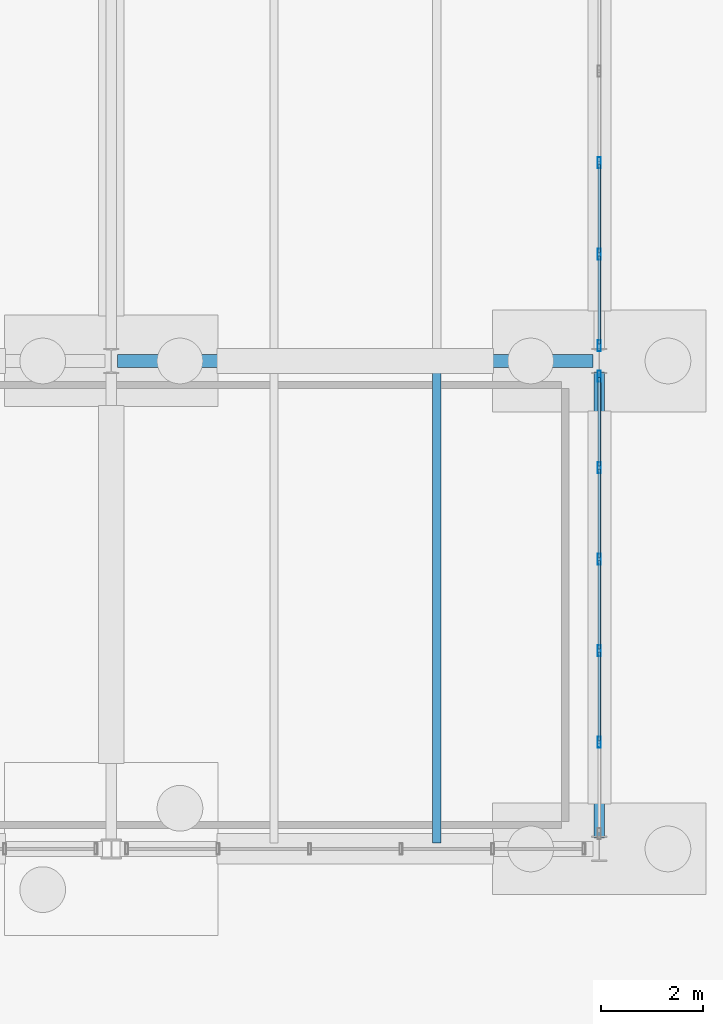
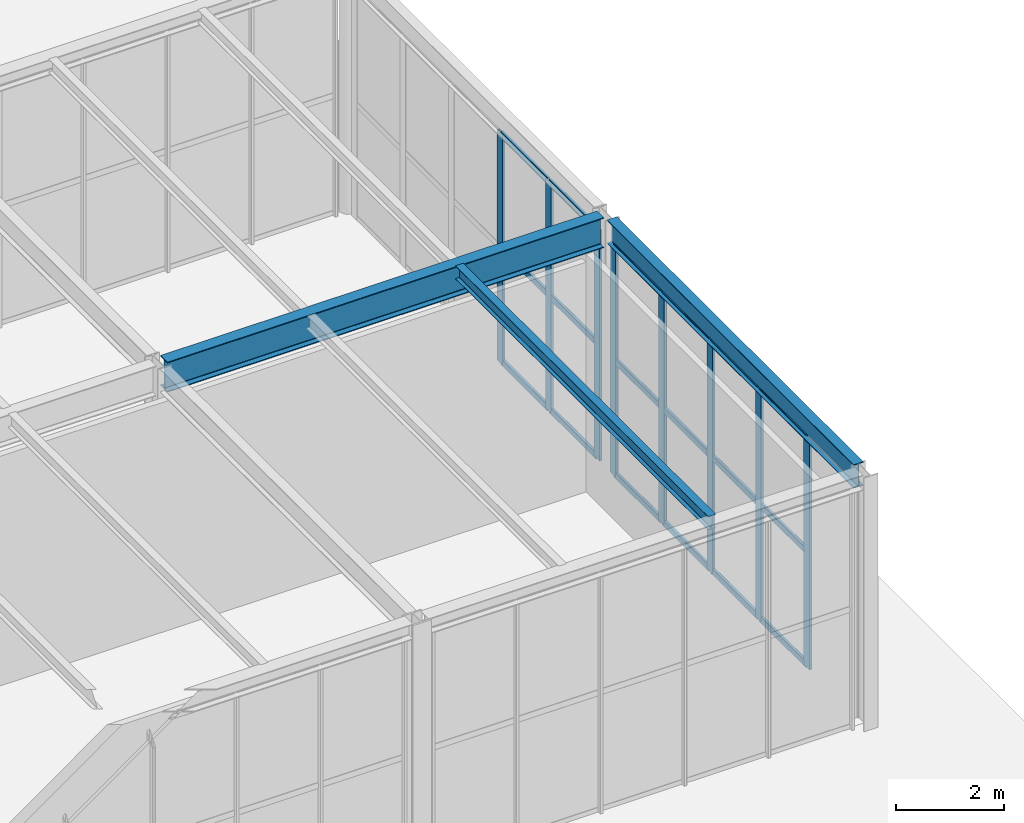
# One storey, part 97 of 142: 26 members, 3 beams, 2 elements without a shape of their own.
"""IFC4 building model written with IfcOpenShell, lengths in metres."""

import ifcopenshell
import ifcopenshell.guid

model = None  # the IFC model being written
_history = None  # IfcOwnerHistory: only IFC2X3 demands one
_inside = {}  # id of a spatial element -> (the spatial element, [elements in it])
_under = {}  # id of a project, library or spatial element -> (it, [spatial elements below it])
_declared = {}  # id of a project -> (the project, [libraries it declares])
_typed = {}  # id of a type object -> (the type object, [elements of that type])
_made_of = {}  # id of a material, layer set ... -> (it, [elements and type objects made of it])


def new_model(schema):
    """Start an empty IFC model of exactly this schema.

    Asked for "IFC4X3", IfcOpenShell would pick the latest addendum, in which some entities
    have other attributes; the version numbers below select the first issue.
    IFC2X3 requires an IfcOwnerHistory on every rooted entity: one is made here for all.
    """
    global model, _history
    if schema == "IFC4X3":
        model = ifcopenshell.file(schema_version=(4, 3, 0, 0))
    else:
        model = ifcopenshell.file(schema=schema)
    _inside.clear()
    _under.clear()
    _declared.clear()
    _typed.clear()
    _made_of.clear()
    _history = None
    if model.schema == "IFC2X3":
        org = make("IfcOrganization", Name="unknown")
        user = make(
            "IfcPersonAndOrganization",
            ThePerson=make("IfcPerson", FamilyName="unknown"),
            TheOrganization=org,
        )
        app = make(
            "IfcApplication",
            ApplicationDeveloper=org,
            Version="unknown",
            ApplicationFullName="unknown",
            ApplicationIdentifier="unknown",
        )
        _history = make(
            "IfcOwnerHistory",
            OwningUser=user,
            OwningApplication=app,
            ChangeAction="ADDED",
            CreationDate=0,
        )
    return model


def make(cls, **values):
    """One entity of the class cls with the attributes given. An attribute that is None is left unset."""
    return model.create_entity(
        cls, **{name: value for name, value in values.items() if value is not None}
    )


def rooted(cls, **values):
    """An entity with a GlobalId (a new one), such as an element, a storey or a relation."""
    return make(cls, GlobalId=ifcopenshell.guid.new(), OwnerHistory=_history, **values)


def si_unit(unit_type, name, prefix=None):
    """IfcSIUnit, for example si_unit("LENGTHUNIT", "METRE", prefix="MILLI")."""
    return make("IfcSIUnit", UnitType=unit_type, Prefix=prefix, Name=name)


def assignment(units):
    """IfcUnitAssignment: the units of a project."""
    return None if units is None else make("IfcUnitAssignment", Units=units)


def point(xyz):
    """IfcCartesianPoint."""
    return None if xyz is None else make("IfcCartesianPoint", Coordinates=xyz)


def direction(xyz):
    """IfcDirection."""
    return None if xyz is None else make("IfcDirection", DirectionRatios=xyz)


def frame(location, z_axis=None, x_axis=None):
    """IfcAxis2Placement3D, a coordinate frame: its origin and axes. An axis left out is left unset."""
    return make(
        "IfcAxis2Placement3D",
        Location=point(location),
        Axis=direction(z_axis),
        RefDirection=direction(x_axis),
    )


def frame_2d(location, x_axis=None):
    """IfcAxis2Placement2D, a coordinate frame in the plane: its origin and x axis."""
    return make(
        "IfcAxis2Placement2D", Location=point(location), RefDirection=direction(x_axis)
    )


def origin():
    """The frame at (0, 0, 0) with its axes left unset."""
    return frame((0.0, 0.0, 0.0))


def origin_2d():
    """The frame at (0, 0) in the plane with its x axis left unset."""
    return frame_2d((0.0, 0.0))


def place(relative_to, where):
    """IfcLocalPlacement: puts the frame where relative to a parent placement (None: the world)."""
    return make(
        "IfcLocalPlacement", PlacementRelTo=relative_to, RelativePlacement=where
    )


def context(
    kind, dimensions, precision=None, world=None, true_north=None, identifier=None
):
    """IfcGeometricRepresentationContext, for example the 3D "Model" context."""
    return make(
        "IfcGeometricRepresentationContext",
        ContextIdentifier=identifier,
        ContextType=kind,
        CoordinateSpaceDimension=dimensions,
        Precision=precision,
        WorldCoordinateSystem=world,
        TrueNorth=true_north,
    )


def subcontext(parent, identifier, kind, view, scale=None):
    """IfcGeometricRepresentationSubContext, for example "Body" below "Model"."""
    return make(
        "IfcGeometricRepresentationSubContext",
        ContextIdentifier=identifier,
        ContextType=kind,
        ParentContext=parent,
        TargetScale=scale,
        TargetView=view,
    )


def project(units=None, contexts=None):
    """IfcProject with its units and contexts."""
    return rooted(
        "IfcProject",
        Name="project",
        RepresentationContexts=contexts,
        UnitsInContext=assignment(units),
    )


def spatial(cls, under=None, at=None, **own):
    """A site, building, storey or space (cls), placed at a placement, below another one or the project."""
    s = rooted(cls, ObjectPlacement=at, **own)
    if under is not None:
        _under.setdefault(under.id(), (under, []))[1].append(s)
    return s


def profile(cls, at=None, kind="AREA", **sizes):
    """A parametric profile (cls). Its sizes go by their IFC names, for example OverallWidth=200.0."""
    return make(cls, ProfileType=kind, Position=at, **sizes)


def hollow_rectangle(**sizes):
    """IfcRectangleHollowProfileDef."""
    return profile("IfcRectangleHollowProfileDef", **sizes)


def i_section(**sizes):
    """IfcIShapeProfileDef."""
    return profile("IfcIShapeProfileDef", **sizes)


def extrude(swept, where, along, depth):
    """IfcExtrudedAreaSolid: the profile swept, set in the frame where, extruded along a direction by depth."""
    return make(
        "IfcExtrudedAreaSolid",
        SweptArea=swept,
        Position=where,
        ExtrudedDirection=direction(along),
        Depth=depth,
    )


def shape(context_of_items, identifier, shape_type, items):
    """IfcShapeRepresentation: the items that make up one representation, for example the "Body"."""
    return make(
        "IfcShapeRepresentation",
        ContextOfItems=context_of_items,
        RepresentationIdentifier=identifier,
        RepresentationType=shape_type,
        Items=items,
    )


def material(Name=None, Category=None):
    """IfcMaterial."""
    return make("IfcMaterial", Name=Name, Category=Category)


def material_profile(
    of_material, cross_section, Name=None, Category=None, Priority=None
):
    """IfcMaterialProfile: a cross section and its material."""
    return make(
        "IfcMaterialProfile",
        Name=Name,
        Material=of_material,
        Profile=cross_section,
        Priority=Priority,
        Category=Category,
    )


def profile_set(profiles, Name=None, composite=None):
    """IfcMaterialProfileSet."""
    return make(
        "IfcMaterialProfileSet",
        Name=Name,
        MaterialProfiles=profiles,
        CompositeProfile=composite,
    )


def made_of(thing, what):
    """Note that an element or type object is made of a material, layer set ...; save() writes the relation."""
    if what is not None:
        _made_of.setdefault(what.id(), (what, []))[1].append(thing)
    return thing


def type_object(cls, material=None, **own):
    """A type object (cls), such as IfcWallType, which elements share."""
    return made_of(rooted(cls, **own), material)


def element(
    cls,
    number,
    at=None,
    inside=None,
    cuts=None,
    type_object=None,
    material=None,
    context=None,
    identifier="Body",
    shape_type=None,
    held_by="IfcProductDefinitionShape",
    body=None,
    shapes=None,
    **own,
):
    """One element of the class cls, such as IfcWall. Its Tag is "e" and its number.

    at: its placement. inside: the storey or other place that contains it. cuts: it is an
    opening in that element (IfcRelVoidsElement). A single representation is given by context,
    identifier, shape_type and body (its items); several are given by shapes. held_by: the class
    of the entity that holds the representations. save() writes the other relations.
    """
    e = rooted(cls, Tag="e%d" % number, ObjectPlacement=at, **own)
    if body is not None:
        shapes = [shape(context, identifier, shape_type, body)]
    if shapes is not None:
        e.Representation = make(held_by, Representations=shapes)
    if inside is not None:
        _inside.setdefault(inside.id(), (inside, []))[1].append(e)
    if cuts is not None:
        rooted(
            "IfcRelVoidsElement", RelatingBuildingElement=cuts, RelatedOpeningElement=e
        )
    if type_object is not None:
        _typed.setdefault(type_object.id(), (type_object, []))[1].append(e)
    return made_of(e, material)


def aggregate(whole, parts):
    """IfcRelAggregates: a whole, such as a stair, and the parts it consists of."""
    return rooted("IfcRelAggregates", RelatingObject=whole, RelatedObjects=parts)


def save(model, path):
    """Write the relations noted so far, then the file.

    IfcRelAggregates (storeys below a building ...), IfcRelContainedInSpatialStructure (elements
    in a storey), IfcRelDefinesByType, IfcRelAssociatesMaterial and IfcRelDeclares: one each for
    every whole, place, type object, material and project.
    """
    for whole, parts in _under.values():
        aggregate(whole, parts)
    for where, things in _inside.values():
        rooted(
            "IfcRelContainedInSpatialStructure",
            RelatedElements=things,
            RelatingStructure=where,
        )
    for kind, things in _typed.values():
        rooted("IfcRelDefinesByType", RelatedObjects=things, RelatingType=kind)
    for what, things in _made_of.values():
        rooted("IfcRelAssociatesMaterial", RelatedObjects=things, RelatingMaterial=what)
    for by, libraries in _declared.values():
        rooted("IfcRelDeclares", RelatingContext=by, RelatedDefinitions=libraries)
    model.write(path)


model = new_model("IFC4")

# Units and contexts
model_context = context("Model", 3, precision=1e-05, world=origin(), true_north=direction((0.0, 1.0)))
body_context = subcontext(model_context, "Body", "Model", "MODEL_VIEW")
ifc_project = project(units=[si_unit("LENGTHUNIT", "METRE"), si_unit("AREAUNIT", "SQUARE_METRE"), si_unit("VOLUMEUNIT", "CUBIC_METRE"), si_unit("PLANEANGLEUNIT", "RADIAN"), si_unit("MASSUNIT", "GRAM", prefix="KILO")], contexts=[model_context])

# Site, building, storey
site_placement = place(None, origin())
site = spatial("IfcSite", under=ifc_project, at=site_placement, CompositionType="ELEMENT")
building_placement = place(site_placement, origin())
building = spatial("IfcBuilding", under=site, at=building_placement, Name="Coralgate Yard Interchange", CompositionType="ELEMENT")
storey_placement = place(building_placement, origin())
storey = spatial("IfcBuildingStorey", under=building, at=storey_placement, Name="L00", CompositionType="ELEMENT", Elevation=0.0)

# Beams
ifc_material_1 = material(Name="Structural steel S355J2", Category="steel")
ifc_material_profile_1 = material_profile(ifc_material_1, i_section(OverallWidth=0.209228515625, OverallDepth=0.533203125, WebThickness=0.010009765625, FlangeThickness=0.015625, FilletRadius=0.0126953125, at=origin_2d()), Name="UB 533x210x92")
ifc_profile_set_1 = profile_set([ifc_material_profile_1], Name="Structural steel S355J2")
beam_type_1 = type_object("IfcBeamType", Name="BM-SB-1", PredefinedType="BEAM", material=ifc_profile_set_1)
beam_1_placement = place(storey_placement, frame((182.39990234375, 77.02001953125, 5.4833984375), z_axis=(0.0, 1.0, 0.0), x_axis=(-1.0, 0.0, 0.0)))
element("IfcBeam", 1, at=beam_1_placement, inside=storey, type_object=beam_type_1, Name="L00 primary grid girder X19 Y8-9", PredefinedType="BEAM", context=body_context, shape_type="SweptSolid", body=[
    extrude(i_section(OverallWidth=0.209228515625, OverallDepth=0.533203125, WebThickness=0.010009765625, FlangeThickness=0.015625, FilletRadius=0.0126953125, at=origin_2d()), origin(), (0.0, 0.0, 1.0), 9.159912109375),
])
ifc_material_profile_2 = material_profile(ifc_material_1, i_section(OverallWidth=0.253662109375, OverallDepth=0.68359375, WebThickness=0.012451171875, FlangeThickness=0.01904296875, FilletRadius=0.01513671875, at=origin_2d()), Name="UB 686x254x140")
ifc_profile_set_2 = profile_set([ifc_material_profile_2], Name="Structural steel S355J2")
beam_type_2 = type_object("IfcBeamType", Name="BM-SG-4", PredefinedType="BEAM", material=ifc_profile_set_2)
beam_2_placement = place(storey_placement, frame((172.919921875, 86.39990234375, 5.408203125), z_axis=(1.0, 0.0, 0.0), x_axis=(0.0, 1.0, 0.0)))
element("IfcBeam", 2, at=beam_2_placement, inside=storey, type_object=beam_type_2, Name="L00 primary grid beam Y9 X18-19", PredefinedType="BEAM", context=body_context, shape_type="SweptSolid", body=[
    extrude(i_section(OverallWidth=0.253662109375, OverallDepth=0.68359375, WebThickness=0.012451171875, FlangeThickness=0.01904296875, FilletRadius=0.01513671875, at=origin_2d()), origin(), (0.0, 0.0, 1.0), 9.360107421875),
])
ifc_material_profile_3 = material_profile(ifc_material_1, i_section(OverallWidth=0.1650390625, OverallDepth=0.303466796875, WebThickness=0.006103515625, FlangeThickness=0.01025390625, FilletRadius=0.0087890625, at=origin_2d()), Name="UB 305x165x40")
ifc_profile_set_3 = profile_set([ifc_material_profile_3], Name="Structural steel S355J2")
beam_type_3 = type_object("IfcBeamType", Name="BM-SJ-1", PredefinedType="JOIST", material=ifc_profile_set_3)
beam_3_placement = place(storey_placement, frame((179.199951171875, 76.919921875, 5.598388671875), z_axis=(0.0, 1.0, 0.0), x_axis=(-1.0, 0.0, 0.0)))
element("IfcBeam", 3, at=beam_3_placement, inside=storey, type_object=beam_type_3, Name="L00 composite floor joist 18-8-2", PredefinedType="JOIST", context=body_context, shape_type="SweptSolid", body=[
    extrude(i_section(OverallWidth=0.1650390625, OverallDepth=0.303466796875, WebThickness=0.006103515625, FlangeThickness=0.01025390625, FilletRadius=0.0087890625, at=origin_2d()), origin(), (0.0, 0.0, 1.0), 9.383056640625),
])

# Curtain wall, members
ifc_material_2 = material(Name="Anodised coastal aluminium and solar-control low-E glass", Category="aluminium")
curtain_wall_type = type_object("IfcCurtainWallType", Name="CW-CW-L00-B", PredefinedType="NOTDEFINED", material=ifc_material_2)
curtain_wall_1_placement = place(storey_placement, origin())
curtain_wall_1 = element("IfcCurtainWall", 4, at=curtain_wall_1_placement, inside=storey, type_object=curtain_wall_type, Name="L00 unitised curtain wall CW-L00-E-18-08", PredefinedType="NOTDEFINED")
ifc_material_3 = material(Name="Anodised coastal aluminium 6063-T6", Category="aluminium")
ifc_material_profile_4 = material_profile(ifc_material_3, hollow_rectangle(XDim=0.06005859375, YDim=0.219970703125, WallThickness=0.00390625, InnerFilletRadius=0.00390625, OuterFilletRadius=0.008056640625, at=origin_2d()), Name="ALU 60x220x4")
ifc_profile_set_4 = profile_set([ifc_material_profile_4], Name="Anodised coastal aluminium 6063-T6")
member_type_1 = type_object("IfcMemberType", Name="MB-MUL-220", PredefinedType="MULLION", material=ifc_profile_set_4)
member_1_placement = place(storey_placement, frame((182.39990234375, 86.10009765625, 0.0), z_axis=(0.0, 0.0, 1.0), x_axis=(1.0, 0.0, 0.0)))
member_1 = element("IfcMember", 5, at=member_1_placement, type_object=member_type_1, Name="CW-L00-E-18-08 vertical mullion 1", PredefinedType="MULLION", context=body_context, shape_type="SweptSolid", body=[
    extrude(hollow_rectangle(XDim=0.06005859375, YDim=0.219970703125, WallThickness=0.00390625, InnerFilletRadius=0.00390625, OuterFilletRadius=0.008056640625, at=origin_2d()), origin(), (0.0, 0.0, 1.0), 5.216796875),
])
member_2_placement = place(storey_placement, frame((182.39990234375, 84.300048828125, 0.0), z_axis=(0.0, 0.0, 1.0), x_axis=(1.0, 0.0, 0.0)))
member_2 = element("IfcMember", 6, at=member_2_placement, type_object=member_type_1, Name="CW-L00-E-18-08 vertical mullion 2", PredefinedType="MULLION", context=body_context, shape_type="SweptSolid", body=[
    extrude(hollow_rectangle(XDim=0.06005859375, YDim=0.219970703125, WallThickness=0.00390625, InnerFilletRadius=0.00390625, OuterFilletRadius=0.008056640625, at=origin_2d()), origin(), (0.0, 0.0, 1.0), 5.216796875),
])
member_3_placement = place(storey_placement, frame((182.39990234375, 82.5, 0.0), z_axis=(0.0, 0.0, 1.0), x_axis=(1.0, 0.0, 0.0)))
member_3 = element("IfcMember", 7, at=member_3_placement, type_object=member_type_1, Name="CW-L00-E-18-08 vertical mullion 3", PredefinedType="MULLION", context=body_context, shape_type="SweptSolid", body=[
    extrude(hollow_rectangle(XDim=0.06005859375, YDim=0.219970703125, WallThickness=0.00390625, InnerFilletRadius=0.00390625, OuterFilletRadius=0.008056640625, at=origin_2d()), origin(), (0.0, 0.0, 1.0), 5.216796875),
])
member_4_placement = place(storey_placement, frame((182.39990234375, 80.699951171875, 0.0), z_axis=(0.0, 0.0, 1.0), x_axis=(1.0, 0.0, 0.0)))
member_4 = element("IfcMember", 8, at=member_4_placement, type_object=member_type_1, Name="CW-L00-E-18-08 vertical mullion 4", PredefinedType="MULLION", context=body_context, shape_type="SweptSolid", body=[
    extrude(hollow_rectangle(XDim=0.06005859375, YDim=0.219970703125, WallThickness=0.00390625, InnerFilletRadius=0.00390625, OuterFilletRadius=0.008056640625, at=origin_2d()), origin(), (0.0, 0.0, 1.0), 5.216796875),
])
member_5_placement = place(storey_placement, frame((182.39990234375, 78.89990234375, 0.0), z_axis=(0.0, 0.0, 1.0), x_axis=(1.0, 0.0, 0.0)))
member_5 = element("IfcMember", 9, at=member_5_placement, type_object=member_type_1, Name="CW-L00-E-18-08 vertical mullion 5", PredefinedType="MULLION", context=body_context, shape_type="SweptSolid", body=[
    extrude(hollow_rectangle(XDim=0.06005859375, YDim=0.219970703125, WallThickness=0.00390625, InnerFilletRadius=0.00390625, OuterFilletRadius=0.008056640625, at=origin_2d()), origin(), (0.0, 0.0, 1.0), 5.216796875),
])

curtain_wall_2_placement = place(storey_placement, origin())
curtain_wall_2 = element("IfcCurtainWall", 10, at=curtain_wall_2_placement, inside=storey, type_object=curtain_wall_type, Name="L00 unitised curtain wall CW-L00-E-18-09", PredefinedType="NOTDEFINED")
member_6_placement = place(storey_placement, frame((182.39990234375, 90.300048828125, 0.0), z_axis=(0.0, 0.0, 1.0), x_axis=(1.0, 0.0, 0.0)))
member_6 = element("IfcMember", 11, at=member_6_placement, type_object=member_type_1, Name="CW-L00-E-18-09 vertical mullion 4", PredefinedType="MULLION", context=body_context, shape_type="SweptSolid", body=[
    extrude(hollow_rectangle(XDim=0.06005859375, YDim=0.219970703125, WallThickness=0.00390625, InnerFilletRadius=0.00390625, OuterFilletRadius=0.008056640625, at=origin_2d()), origin(), (0.0, 0.0, 1.0), 5.216796875),
])
member_7_placement = place(storey_placement, frame((182.39990234375, 88.5, 0.0), z_axis=(0.0, 0.0, 1.0), x_axis=(1.0, 0.0, 0.0)))
member_7 = element("IfcMember", 12, at=member_7_placement, type_object=member_type_1, Name="CW-L00-E-18-09 vertical mullion 5", PredefinedType="MULLION", context=body_context, shape_type="SweptSolid", body=[
    extrude(hollow_rectangle(XDim=0.06005859375, YDim=0.219970703125, WallThickness=0.00390625, InnerFilletRadius=0.00390625, OuterFilletRadius=0.008056640625, at=origin_2d()), origin(), (0.0, 0.0, 1.0), 5.216796875),
])
member_8_placement = place(storey_placement, frame((182.39990234375, 86.699951171875, 0.0), z_axis=(0.0, 0.0, 1.0), x_axis=(1.0, 0.0, 0.0)))
member_8 = element("IfcMember", 13, at=member_8_placement, type_object=member_type_1, Name="CW-L00-E-18-09 vertical mullion 6", PredefinedType="MULLION", context=body_context, shape_type="SweptSolid", body=[
    extrude(hollow_rectangle(XDim=0.06005859375, YDim=0.219970703125, WallThickness=0.00390625, InnerFilletRadius=0.00390625, OuterFilletRadius=0.008056640625, at=origin_2d()), origin(), (0.0, 0.0, 1.0), 5.216796875),
])

# Member
ifc_material_profile_5 = material_profile(ifc_material_3, hollow_rectangle(XDim=0.06005859375, YDim=0.139892578125, WallThickness=0.00341796875, InnerFilletRadius=0.00341796875, OuterFilletRadius=0.007080078125, at=origin_2d()), Name="ALU 60x140x3.5")
ifc_profile_set_5 = profile_set([ifc_material_profile_5], Name="Anodised coastal aluminium 6063-T6")
member_type_2 = type_object("IfcMemberType", Name="MB-TRN-140", PredefinedType="USERDEFINED", material=ifc_profile_set_5)
member_9_placement = place(storey_placement, frame((182.39990234375, 86.070068359375, 0.034912109375), z_axis=(0.0, -1.0, 0.0), x_axis=(1.0, 0.0, 0.0)))
member_9 = element("IfcMember", 14, at=member_9_placement, type_object=member_type_2, Name="CW-L00-E-18-08 horizontal transom 1-1", ObjectType="TRANSOM", PredefinedType="USERDEFINED", context=body_context, shape_type="SweptSolid", body=[
    extrude(hollow_rectangle(XDim=0.06005859375, YDim=0.139892578125, WallThickness=0.00341796875, InnerFilletRadius=0.00341796875, OuterFilletRadius=0.007080078125, at=origin_2d()), origin(), (0.0, 0.0, 1.0), 1.739990234375),
])

member_10_placement = place(storey_placement, frame((182.39990234375, 86.070068359375, 2.6083984375), z_axis=(0.0, -1.0, 0.0), x_axis=(1.0, 0.0, 0.0)))
member_10 = element("IfcMember", 15, at=member_10_placement, type_object=member_type_2, Name="CW-L00-E-18-08 horizontal transom 1-2", ObjectType="TRANSOM", PredefinedType="USERDEFINED", context=body_context, shape_type="SweptSolid", body=[
    extrude(hollow_rectangle(XDim=0.06005859375, YDim=0.139892578125, WallThickness=0.00341796875, InnerFilletRadius=0.00341796875, OuterFilletRadius=0.007080078125, at=origin_2d()), origin(), (0.0, 0.0, 1.0), 1.739990234375),
])

member_11_placement = place(storey_placement, frame((182.39990234375, 86.070068359375, 5.181884765625), z_axis=(0.0, -1.0, 0.0), x_axis=(1.0, 0.0, 0.0)))
member_11 = element("IfcMember", 16, at=member_11_placement, type_object=member_type_2, Name="CW-L00-E-18-08 horizontal transom 1-3", ObjectType="TRANSOM", PredefinedType="USERDEFINED", context=body_context, shape_type="SweptSolid", body=[
    extrude(hollow_rectangle(XDim=0.06005859375, YDim=0.139892578125, WallThickness=0.00341796875, InnerFilletRadius=0.00341796875, OuterFilletRadius=0.007080078125, at=origin_2d()), origin(), (0.0, 0.0, 1.0), 1.739990234375),
])

member_12_placement = place(storey_placement, frame((182.39990234375, 84.27001953125, 0.034912109375), z_axis=(0.0, -1.0, 0.0), x_axis=(1.0, 0.0, 0.0)))
member_12 = element("IfcMember", 17, at=member_12_placement, type_object=member_type_2, Name="CW-L00-E-18-08 horizontal transom 2-1", ObjectType="TRANSOM", PredefinedType="USERDEFINED", context=body_context, shape_type="SweptSolid", body=[
    extrude(hollow_rectangle(XDim=0.06005859375, YDim=0.139892578125, WallThickness=0.00341796875, InnerFilletRadius=0.00341796875, OuterFilletRadius=0.007080078125, at=origin_2d()), origin(), (0.0, 0.0, 1.0), 1.739990234375),
])

member_13_placement = place(storey_placement, frame((182.39990234375, 84.27001953125, 2.6083984375), z_axis=(0.0, -1.0, 0.0), x_axis=(1.0, 0.0, 0.0)))
member_13 = element("IfcMember", 18, at=member_13_placement, type_object=member_type_2, Name="CW-L00-E-18-08 horizontal transom 2-2", ObjectType="TRANSOM", PredefinedType="USERDEFINED", context=body_context, shape_type="SweptSolid", body=[
    extrude(hollow_rectangle(XDim=0.06005859375, YDim=0.139892578125, WallThickness=0.00341796875, InnerFilletRadius=0.00341796875, OuterFilletRadius=0.007080078125, at=origin_2d()), origin(), (0.0, 0.0, 1.0), 1.739990234375),
])

member_14_placement = place(storey_placement, frame((182.39990234375, 84.27001953125, 5.181884765625), z_axis=(0.0, -1.0, 0.0), x_axis=(1.0, 0.0, 0.0)))
member_14 = element("IfcMember", 19, at=member_14_placement, type_object=member_type_2, Name="CW-L00-E-18-08 horizontal transom 2-3", ObjectType="TRANSOM", PredefinedType="USERDEFINED", context=body_context, shape_type="SweptSolid", body=[
    extrude(hollow_rectangle(XDim=0.06005859375, YDim=0.139892578125, WallThickness=0.00341796875, InnerFilletRadius=0.00341796875, OuterFilletRadius=0.007080078125, at=origin_2d()), origin(), (0.0, 0.0, 1.0), 1.739990234375),
])

member_15_placement = place(storey_placement, frame((182.39990234375, 82.469970703125, 0.034912109375), z_axis=(0.0, -1.0, 0.0), x_axis=(1.0, 0.0, 0.0)))
member_15 = element("IfcMember", 20, at=member_15_placement, type_object=member_type_2, Name="CW-L00-E-18-08 horizontal transom 3-1", ObjectType="TRANSOM", PredefinedType="USERDEFINED", context=body_context, shape_type="SweptSolid", body=[
    extrude(hollow_rectangle(XDim=0.06005859375, YDim=0.139892578125, WallThickness=0.00341796875, InnerFilletRadius=0.00341796875, OuterFilletRadius=0.007080078125, at=origin_2d()), origin(), (0.0, 0.0, 1.0), 1.739990234375),
])

member_16_placement = place(storey_placement, frame((182.39990234375, 82.469970703125, 2.6083984375), z_axis=(0.0, -1.0, 0.0), x_axis=(1.0, 0.0, 0.0)))
member_16 = element("IfcMember", 21, at=member_16_placement, type_object=member_type_2, Name="CW-L00-E-18-08 horizontal transom 3-2", ObjectType="TRANSOM", PredefinedType="USERDEFINED", context=body_context, shape_type="SweptSolid", body=[
    extrude(hollow_rectangle(XDim=0.06005859375, YDim=0.139892578125, WallThickness=0.00341796875, InnerFilletRadius=0.00341796875, OuterFilletRadius=0.007080078125, at=origin_2d()), origin(), (0.0, 0.0, 1.0), 1.739990234375),
])

member_17_placement = place(storey_placement, frame((182.39990234375, 82.469970703125, 5.181884765625), z_axis=(0.0, -1.0, 0.0), x_axis=(1.0, 0.0, 0.0)))
member_17 = element("IfcMember", 22, at=member_17_placement, type_object=member_type_2, Name="CW-L00-E-18-08 horizontal transom 3-3", ObjectType="TRANSOM", PredefinedType="USERDEFINED", context=body_context, shape_type="SweptSolid", body=[
    extrude(hollow_rectangle(XDim=0.06005859375, YDim=0.139892578125, WallThickness=0.00341796875, InnerFilletRadius=0.00341796875, OuterFilletRadius=0.007080078125, at=origin_2d()), origin(), (0.0, 0.0, 1.0), 1.739990234375),
])

member_18_placement = place(storey_placement, frame((182.39990234375, 80.669921875, 0.034912109375), z_axis=(0.0, -1.0, 0.0), x_axis=(1.0, 0.0, 0.0)))
member_18 = element("IfcMember", 23, at=member_18_placement, type_object=member_type_2, Name="CW-L00-E-18-08 horizontal transom 4-1", ObjectType="TRANSOM", PredefinedType="USERDEFINED", context=body_context, shape_type="SweptSolid", body=[
    extrude(hollow_rectangle(XDim=0.06005859375, YDim=0.139892578125, WallThickness=0.00341796875, InnerFilletRadius=0.00341796875, OuterFilletRadius=0.007080078125, at=origin_2d()), origin(), (0.0, 0.0, 1.0), 1.739990234375),
])

member_19_placement = place(storey_placement, frame((182.39990234375, 80.669921875, 2.6083984375), z_axis=(0.0, -1.0, 0.0), x_axis=(1.0, 0.0, 0.0)))
member_19 = element("IfcMember", 24, at=member_19_placement, type_object=member_type_2, Name="CW-L00-E-18-08 horizontal transom 4-2", ObjectType="TRANSOM", PredefinedType="USERDEFINED", context=body_context, shape_type="SweptSolid", body=[
    extrude(hollow_rectangle(XDim=0.06005859375, YDim=0.139892578125, WallThickness=0.00341796875, InnerFilletRadius=0.00341796875, OuterFilletRadius=0.007080078125, at=origin_2d()), origin(), (0.0, 0.0, 1.0), 1.739990234375),
])

member_20_placement = place(storey_placement, frame((182.39990234375, 80.669921875, 5.181884765625), z_axis=(0.0, -1.0, 0.0), x_axis=(1.0, 0.0, 0.0)))
member_20 = element("IfcMember", 25, at=member_20_placement, type_object=member_type_2, Name="CW-L00-E-18-08 horizontal transom 4-3", ObjectType="TRANSOM", PredefinedType="USERDEFINED", context=body_context, shape_type="SweptSolid", body=[
    extrude(hollow_rectangle(XDim=0.06005859375, YDim=0.139892578125, WallThickness=0.00341796875, InnerFilletRadius=0.00341796875, OuterFilletRadius=0.007080078125, at=origin_2d()), origin(), (0.0, 0.0, 1.0), 1.739990234375),
])

aggregate(curtain_wall_1, [member_1, member_2, member_3, member_4, member_5, member_9, member_10, member_11, member_12, member_13, member_14, member_15, member_16, member_17, member_18, member_19, member_20])

member_21_placement = place(storey_placement, frame((182.39990234375, 90.27001953125, 0.034912109375), z_axis=(0.0, -1.0, 0.0), x_axis=(1.0, 0.0, 0.0)))
member_21 = element("IfcMember", 26, at=member_21_placement, type_object=member_type_2, Name="CW-L00-E-18-09 horizontal transom 4-1", ObjectType="TRANSOM", PredefinedType="USERDEFINED", context=body_context, shape_type="SweptSolid", body=[
    extrude(hollow_rectangle(XDim=0.06005859375, YDim=0.139892578125, WallThickness=0.00341796875, InnerFilletRadius=0.00341796875, OuterFilletRadius=0.007080078125, at=origin_2d()), origin(), (0.0, 0.0, 1.0), 1.739990234375),
])

member_22_placement = place(storey_placement, frame((182.39990234375, 90.27001953125, 2.6083984375), z_axis=(0.0, -1.0, 0.0), x_axis=(1.0, 0.0, 0.0)))
member_22 = element("IfcMember", 27, at=member_22_placement, type_object=member_type_2, Name="CW-L00-E-18-09 horizontal transom 4-2", ObjectType="TRANSOM", PredefinedType="USERDEFINED", context=body_context, shape_type="SweptSolid", body=[
    extrude(hollow_rectangle(XDim=0.06005859375, YDim=0.139892578125, WallThickness=0.00341796875, InnerFilletRadius=0.00341796875, OuterFilletRadius=0.007080078125, at=origin_2d()), origin(), (0.0, 0.0, 1.0), 1.739990234375),
])

member_23_placement = place(storey_placement, frame((182.39990234375, 90.27001953125, 5.181884765625), z_axis=(0.0, -1.0, 0.0), x_axis=(1.0, 0.0, 0.0)))
member_23 = element("IfcMember", 28, at=member_23_placement, type_object=member_type_2, Name="CW-L00-E-18-09 horizontal transom 4-3", ObjectType="TRANSOM", PredefinedType="USERDEFINED", context=body_context, shape_type="SweptSolid", body=[
    extrude(hollow_rectangle(XDim=0.06005859375, YDim=0.139892578125, WallThickness=0.00341796875, InnerFilletRadius=0.00341796875, OuterFilletRadius=0.007080078125, at=origin_2d()), origin(), (0.0, 0.0, 1.0), 1.739990234375),
])

member_24_placement = place(storey_placement, frame((182.39990234375, 88.469970703125, 0.034912109375), z_axis=(0.0, -1.0, 0.0), x_axis=(1.0, 0.0, 0.0)))
member_24 = element("IfcMember", 29, at=member_24_placement, type_object=member_type_2, Name="CW-L00-E-18-09 horizontal transom 5-1", ObjectType="TRANSOM", PredefinedType="USERDEFINED", context=body_context, shape_type="SweptSolid", body=[
    extrude(hollow_rectangle(XDim=0.06005859375, YDim=0.139892578125, WallThickness=0.00341796875, InnerFilletRadius=0.00341796875, OuterFilletRadius=0.007080078125, at=origin_2d()), origin(), (0.0, 0.0, 1.0), 1.739990234375),
])

member_25_placement = place(storey_placement, frame((182.39990234375, 88.469970703125, 2.6083984375), z_axis=(0.0, -1.0, 0.0), x_axis=(1.0, 0.0, 0.0)))
member_25 = element("IfcMember", 30, at=member_25_placement, type_object=member_type_2, Name="CW-L00-E-18-09 horizontal transom 5-2", ObjectType="TRANSOM", PredefinedType="USERDEFINED", context=body_context, shape_type="SweptSolid", body=[
    extrude(hollow_rectangle(XDim=0.06005859375, YDim=0.139892578125, WallThickness=0.00341796875, InnerFilletRadius=0.00341796875, OuterFilletRadius=0.007080078125, at=origin_2d()), origin(), (0.0, 0.0, 1.0), 1.739990234375),
])

member_26_placement = place(storey_placement, frame((182.39990234375, 88.469970703125, 5.181884765625), z_axis=(0.0, -1.0, 0.0), x_axis=(1.0, 0.0, 0.0)))
member_26 = element("IfcMember", 31, at=member_26_placement, type_object=member_type_2, Name="CW-L00-E-18-09 horizontal transom 5-3", ObjectType="TRANSOM", PredefinedType="USERDEFINED", context=body_context, shape_type="SweptSolid", body=[
    extrude(hollow_rectangle(XDim=0.06005859375, YDim=0.139892578125, WallThickness=0.00341796875, InnerFilletRadius=0.00341796875, OuterFilletRadius=0.007080078125, at=origin_2d()), origin(), (0.0, 0.0, 1.0), 1.739990234375),
])

aggregate(curtain_wall_2, [member_6, member_7, member_8, member_21, member_22, member_23, member_24, member_25, member_26])

save(model, "model.ifc")
